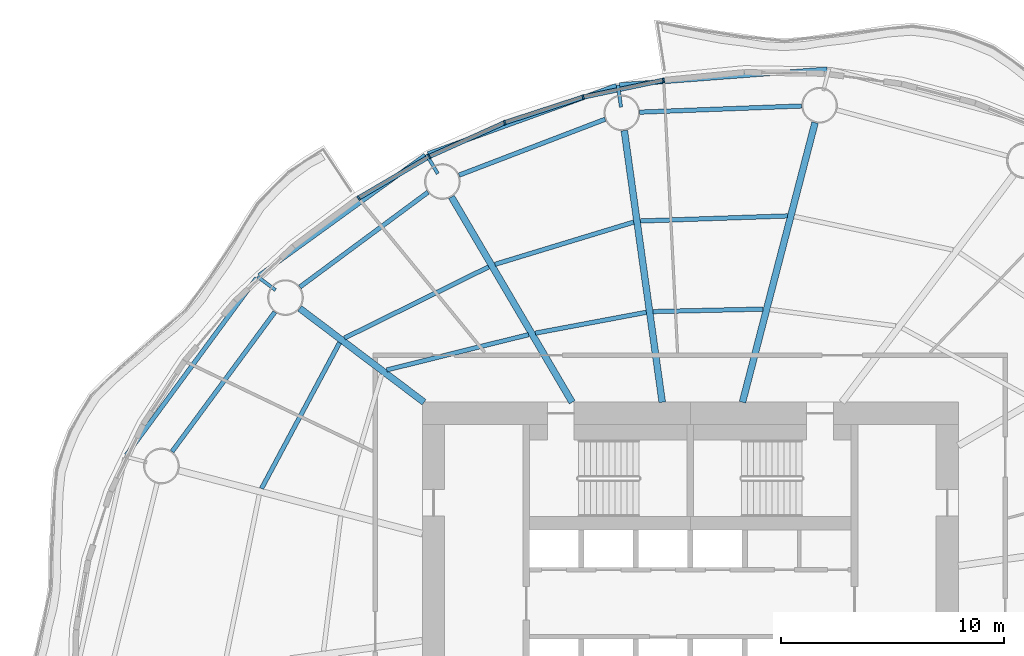
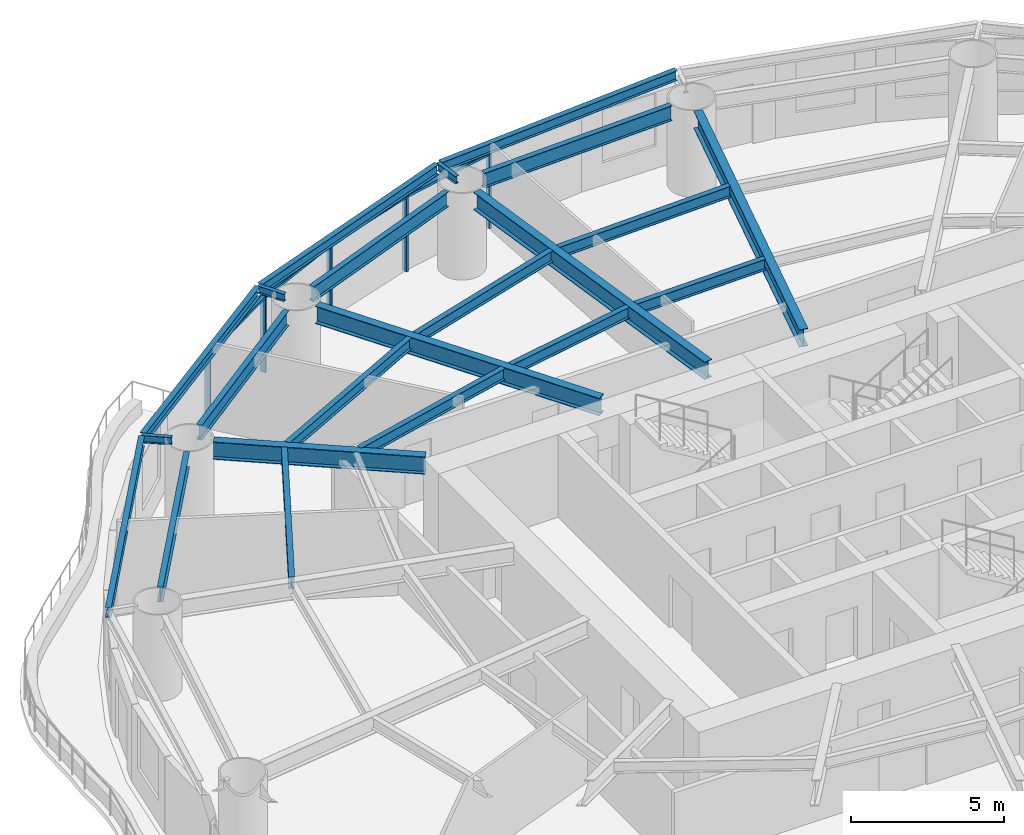
# One storey, part 5 of 14: 22 beams, 9 members, 4 elements without a shape of their own.
"""IFC4 building model written with IfcOpenShell, lengths in metres."""

from ifc_helpers import new_model, si_unit, direction, frame, origin, origin_2d, place, context, subcontext, project, spatial, rectangle, i_section, extrude, material, material_profile, profile_set, type_object, element, aggregate, save


model = new_model("IFC4")

# Units and contexts
model_context = context("Model", 3, precision=1e-05, world=origin(), true_north=direction((0.0, 1.0)))
body_context = subcontext(model_context, "Body", "Model", "MODEL_VIEW")
ifc_project = project(units=[si_unit("LENGTHUNIT", "METRE"), si_unit("AREAUNIT", "SQUARE_METRE"), si_unit("VOLUMEUNIT", "CUBIC_METRE"), si_unit("PLANEANGLEUNIT", "RADIAN"), si_unit("MASSUNIT", "GRAM", prefix="KILO")], contexts=[model_context])

# Site, building, storey
site_placement = place(None, origin())
site = spatial("IfcSite", under=ifc_project, at=site_placement, CompositionType="ELEMENT")
building_placement = place(site_placement, origin())
building = spatial("IfcBuilding", under=site, at=building_placement, Name="Vermilion Reach Broadcast Tower", CompositionType="ELEMENT")
storey_placement = place(building_placement, frame((0.0, 0.0, 117.39990234375)))
storey = spatial("IfcBuildingStorey", under=building, at=storey_placement, Name="L27", CompositionType="ELEMENT", Elevation=117.39990234375)

# Beams
ifc_material_1 = material(Name="Steel S355J2", Category="steel")
ifc_material_profile_1 = material_profile(ifc_material_1, i_section(OverallWidth=0.199951171875, OverallDepth=0.39990234375, WebThickness=0.008056640625, FlangeThickness=0.012939453125, at=origin_2d()), Name="S355J2 HN 400x200x8x13")
ifc_profile_set_1 = profile_set([ifc_material_profile_1], Name="Steel S355J2")
beam_type_1 = type_object("IfcBeamType", Name="EB2 HN 400x200x8x13", PredefinedType="BEAM", material=ifc_profile_set_1)
beam_1_placement = place(storey_placement, frame((0.12890625, 23.912109375, 3.25), z_axis=(-0.997136795934, -0.075618848141, 0.0), x_axis=(0.075618848141, -0.997136795934, 0.0)))
element("IfcBeam", 1, at=beam_1_placement, inside=storey, type_object=beam_type_1, Name="Edge beam EB2-03", PredefinedType="BEAM", context=body_context, shape_type="SweptSolid", body=[
    extrude(i_section(OverallWidth=0.199951171875, OverallDepth=0.39990234375, WebThickness=0.008056640625, FlangeThickness=0.012939453125, at=origin_2d()), origin(), (0.0, 0.0, 1.0), 9.32080078125),
])
beam_2_placement = place(storey_placement, frame((-9.312255859375, 23.175537109375, 3.25), z_axis=(-0.940209329567, -0.340597147075, 0.0), x_axis=(0.340597147075, -0.940209329567, 0.0)))
element("IfcBeam", 2, at=beam_2_placement, inside=storey, type_object=beam_type_1, Name="Edge beam EB2-04", PredefinedType="BEAM", context=body_context, shape_type="SweptSolid", body=[
    extrude(i_section(OverallWidth=0.199951171875, OverallDepth=0.39990234375, WebThickness=0.008056640625, FlangeThickness=0.012939453125, at=origin_2d()), origin(), (0.0, 0.0, 1.0), 8.9658203125),
])
beam_3_placement = place(storey_placement, frame((-17.874755859375, 20.051513671875, 3.25), z_axis=(-0.810003127227, -0.586425556983, 0.0), x_axis=(0.586425556983, -0.810003127227, 0.0)))
element("IfcBeam", 3, at=beam_3_placement, inside=storey, type_object=beam_type_1, Name="Edge beam EB2-05", PredefinedType="BEAM", context=body_context, shape_type="SweptSolid", body=[
    extrude(i_section(OverallWidth=0.199951171875, OverallDepth=0.39990234375, WebThickness=0.008056640625, FlangeThickness=0.012939453125, at=origin_2d()), origin(), (0.0, 0.0, 1.0), 9.177001953125),
])
beam_4_placement = place(storey_placement, frame((-25.416015625, 14.563720703125, 3.25), z_axis=(-0.59256035005, -0.805526058888, 0.0), x_axis=(0.805526058888, -0.59256035005, 0.0)))
element("IfcBeam", 4, at=beam_4_placement, inside=storey, type_object=beam_type_1, Name="Edge beam EB2-06", PredefinedType="BEAM", context=body_context, shape_type="SweptSolid", body=[
    extrude(i_section(OverallWidth=0.199951171875, OverallDepth=0.39990234375, WebThickness=0.008056640625, FlangeThickness=0.012939453125, at=origin_2d()), origin(), (0.0, 0.0, 1.0), 9.847412109375),
])
ifc_material_2 = material(Name="Steel S355J2", Category="steel")
ifc_material_profile_2 = material_profile(ifc_material_2, i_section(OverallWidth=0.300048828125, OverallDepth=0.699951171875, WebThickness=0.012939453125, FlangeThickness=0.02392578125, at=origin_2d()), Name="S355J2 HN 700x300x13x24")
ifc_profile_set_2 = profile_set([ifc_material_profile_2], Name="Steel S355J2")
beam_type_2 = type_object("IfcBeamType", Name="G2 HN 700x300x13x24", PredefinedType="BEAM", material=ifc_profile_set_2)
beam_5_placement = place(storey_placement, frame((-3.6640625, 9.0, 3.10009765625), z_axis=(0.25121695316, 0.967930804575, 0.0), x_axis=(-0.967930804575, 0.25121695316, 0.0)))
element("IfcBeam", 5, at=beam_5_placement, inside=storey, type_object=beam_type_2, Name="Girder G2-03", PredefinedType="BEAM", context=body_context, shape_type="SweptSolid", body=[
    extrude(i_section(OverallWidth=0.300048828125, OverallDepth=0.699951171875, WebThickness=0.012939453125, FlangeThickness=0.02392578125, at=origin_2d()), origin(), (0.0, 0.0, 1.0), 12.93505859375),
])
beam_6_placement = place(storey_placement, frame((-7.2568359375, 9.0, 3.10009765625), z_axis=(-0.138317561234, 0.990387930184, 0.0), x_axis=(-0.990387930184, -0.138317561234, 0.0)))
element("IfcBeam", 6, at=beam_6_placement, inside=storey, type_object=beam_type_2, Name="Girder G2-04", PredefinedType="BEAM", context=body_context, shape_type="SweptSolid", body=[
    extrude(i_section(OverallWidth=0.300048828125, OverallDepth=0.699951171875, WebThickness=0.012939453125, FlangeThickness=0.02392578125, at=origin_2d()), origin(), (0.0, 0.0, 1.0), 12.281494140625),
])
beam_7_placement = place(storey_placement, frame((-11.290771484375, 9.0, 3.10009765625), z_axis=(-0.506783943634, 0.862073102744, 0.0), x_axis=(-0.862073102744, -0.506783943634, 0.0)))
element("IfcBeam", 7, at=beam_7_placement, inside=storey, type_object=beam_type_2, Name="Girder G2-05", PredefinedType="BEAM", context=body_context, shape_type="SweptSolid", body=[
    extrude(i_section(OverallWidth=0.300048828125, OverallDepth=0.699951171875, WebThickness=0.012939453125, FlangeThickness=0.02392578125, at=origin_2d()), origin(), (0.0, 0.0, 1.0), 10.661865234375),
])
beam_8_placement = place(storey_placement, frame((-17.921630859375, 9.0, 3.10009765625), z_axis=(-0.798113534072, 0.602507084382, 0.0), x_axis=(-0.602507084382, -0.798113534072, 0.0)))
element("IfcBeam", 8, at=beam_8_placement, inside=storey, type_object=beam_type_2, Name="Girder G2-06", PredefinedType="BEAM", context=body_context, shape_type="SweptSolid", body=[
    extrude(i_section(OverallWidth=0.300048828125, OverallDepth=0.699951171875, WebThickness=0.012939453125, FlangeThickness=0.02392578125, at=origin_2d()), origin(), (0.0, 0.0, 1.0), 6.971923828125),
])
ifc_material_3 = material(Name="Steel S355J2", Category="steel")
ifc_material_profile_3 = material_profile(ifc_material_3, i_section(OverallWidth=0.14990234375, OverallDepth=0.300048828125, WebThickness=0.006591796875, FlangeThickness=0.009033203125, at=origin_2d()), Name="S355J2 HN 300x150x6.5x9")
ifc_profile_set_3 = profile_set([ifc_material_profile_3], Name="Steel S355J2")
beam_type_3 = type_object("IfcBeamType", Name="GS2 HN 300x150x6.5x9", PredefinedType="BEAM", material=ifc_profile_set_3)
for number, where, z_axis, x_axis, name in (
    (9, (-9.101806640625, 22.211181640625, 3.300048828125), (-0.138413206764, 0.990374567622, 0.0), (-0.990374567622, -0.138413206764, 0.0), "Cantilever stub GS2-04"),
    (10, (-17.306884765625, 19.233642578125, 3.300048828125), (-0.506828068037, 0.862047161964, 0.0), (-0.862047161964, -0.506828068037, 0.0), "Cantilever stub GS2-05"),
    (11, (-24.573486328125, 14.021484375, 3.300048828125), (-0.798091683473, 0.602536027779, 0.0), (-0.602536027779, -0.798091683473, 0.0), "Cantilever stub GS2-06"),
):
    element("IfcBeam", number, at=place(storey_placement, frame(where, z_axis=z_axis, x_axis=x_axis)), inside=storey, type_object=beam_type_3, Name=name, PredefinedType="BEAM", context=body_context, shape_type="SweptSolid", body=[
        extrude(i_section(OverallWidth=0.14990234375, OverallDepth=0.300048828125, WebThickness=0.006591796875, FlangeThickness=0.009033203125, at=origin_2d()), origin(), (0.0, 0.0, 1.0), 1.0),
    ])
ifc_material_4 = material(Name="Steel S355J2", Category="steel")
ifc_material_profile_4 = material_profile(ifc_material_4, i_section(OverallWidth=0.199951171875, OverallDepth=0.60009765625, WebThickness=0.010986328125, FlangeThickness=0.01708984375, at=origin_2d()), Name="S355J2 HN 600x200x11x17")
ifc_profile_set_4 = profile_set([ifc_material_profile_4], Name="Steel S355J2")
beam_type_4 = type_object("IfcBeamType", Name="RB2 HN 600x200x11x17", PredefinedType="BEAM", material=ifc_profile_set_4)
beam_9_placement = place(storey_placement, frame((-1.012939453125, 22.263916015625, 3.150146484375), z_axis=(-0.999268558327, -0.038240663418, 0.0), x_axis=(0.038240663418, -0.999268558327, 0.0)))
element("IfcBeam", 12, at=beam_9_placement, inside=storey, type_object=beam_type_4, Name="Ring beam RB2-03", PredefinedType="BEAM", context=body_context, shape_type="SweptSolid", body=[
    extrude(i_section(OverallWidth=0.199951171875, OverallDepth=0.60009765625, WebThickness=0.010986328125, FlangeThickness=0.01708984375, at=origin_2d()), origin(), (0.0, 0.0, 1.0), 7.259033203125),
])
beam_10_placement = place(storey_placement, frame((-9.813232421875, 21.669677734375, 3.150146484375), z_axis=(-0.933939237212, -0.357431813353, 0.0), x_axis=(0.357431813353, -0.933939237212, 0.0)))
element("IfcBeam", 13, at=beam_10_placement, inside=storey, type_object=beam_type_4, Name="Ring beam RB2-04", PredefinedType="BEAM", context=body_context, shape_type="SweptSolid", body=[
    extrude(i_section(OverallWidth=0.199951171875, OverallDepth=0.60009765625, WebThickness=0.010986328125, FlangeThickness=0.01708984375, at=origin_2d()), origin(), (0.0, 0.0, 1.0), 7.001953125),
])
beam_11_placement = place(storey_placement, frame((-17.74267578125, 18.4052734375, 3.150146484375), z_axis=(-0.803832742218, -0.594855379515, 0.0), x_axis=(0.594855379515, -0.803832742218, 0.0)))
element("IfcBeam", 14, at=beam_11_placement, inside=storey, type_object=beam_type_4, Name="Ring beam RB2-05", PredefinedType="BEAM", context=body_context, shape_type="SweptSolid", body=[
    extrude(i_section(OverallWidth=0.199951171875, OverallDepth=0.60009765625, WebThickness=0.010986328125, FlangeThickness=0.01708984375, at=origin_2d()), origin(), (0.0, 0.0, 1.0), 7.13916015625),
])
beam_12_placement = place(storey_placement, frame((-24.59912109375, 13.03857421875, 3.150146484375), z_axis=(-0.593250534798, -0.80501788984, 0.0), x_axis=(0.80501788984, -0.593250534798, 0.0)))
element("IfcBeam", 15, at=beam_12_placement, inside=storey, type_object=beam_type_4, Name="Ring beam RB2-06", PredefinedType="BEAM", context=body_context, shape_type="SweptSolid", body=[
    extrude(i_section(OverallWidth=0.199951171875, OverallDepth=0.60009765625, WebThickness=0.010986328125, FlangeThickness=0.01708984375, at=origin_2d()), origin(), (0.0, 0.0, 1.0), 7.76220703125),
])
ifc_material_5 = material(Name="Steel S355J2", Category="steel")
ifc_material_profile_5 = material_profile(ifc_material_5, i_section(OverallWidth=0.199951171875, OverallDepth=0.449951171875, WebThickness=0.009033203125, FlangeThickness=0.013916015625, at=origin_2d()), Name="S355J2 HN 450x200x9x14")
ifc_profile_set_5 = profile_set([ifc_material_profile_5], Name="Steel S355J2")
beam_type_5 = type_object("IfcBeamType", Name="SB2 HN 450x200x9x14", PredefinedType="BEAM", material=ifc_profile_set_5)
beam_13_placement = place(storey_placement, frame((-2.73681640625, 13.169921875, 3.22509765625), z_axis=(-0.999742320425, -0.022700060602, 0.0), x_axis=(0.022700060602, -0.999742320425, 0.0)))
element("IfcBeam", 16, at=beam_13_placement, inside=storey, type_object=beam_type_5, Name="Secondary beam SB2-03-1", PredefinedType="BEAM", context=body_context, shape_type="SweptSolid", body=[
    extrude(i_section(OverallWidth=0.199951171875, OverallDepth=0.449951171875, WebThickness=0.009033203125, FlangeThickness=0.013916015625, at=origin_2d()), origin(), (0.0, 0.0, 1.0), 4.9365234375),
])
beam_14_placement = place(storey_placement, frame((-1.654052734375, 17.34130859375, 3.22509765625), z_axis=(-0.999404722387, -0.03449928797, 0.0), x_axis=(0.03449928797, -0.999404722387, 0.0)))
element("IfcBeam", 17, at=beam_14_placement, inside=storey, type_object=beam_type_5, Name="Secondary beam SB2-03-2", PredefinedType="BEAM", context=body_context, shape_type="SweptSolid", body=[
    extrude(i_section(OverallWidth=0.199951171875, OverallDepth=0.449951171875, WebThickness=0.009033203125, FlangeThickness=0.013916015625, at=origin_2d()), origin(), (0.0, 0.0, 1.0), 6.58837890625),
])
beam_15_placement = place(storey_placement, frame((-7.970703125, 13.026611328125, 3.22509765625), z_axis=(-0.982782890015, -0.184764149915, 0.0), x_axis=(0.184764149915, -0.982782890015, 0.0)))
element("IfcBeam", 18, at=beam_15_placement, inside=storey, type_object=beam_type_5, Name="Secondary beam SB2-04-1", PredefinedType="BEAM", context=body_context, shape_type="SweptSolid", body=[
    extrude(i_section(OverallWidth=0.199951171875, OverallDepth=0.449951171875, WebThickness=0.009033203125, FlangeThickness=0.013916015625, at=origin_2d()), origin(), (0.0, 0.0, 1.0), 5.051513671875),
])
beam_16_placement = place(storey_placement, frame((-8.53466796875, 17.064697265625, 3.22509765625), z_axis=(-0.956596430605, -0.291415972374, 0.0), x_axis=(0.291415972374, -0.956596430605, 0.0)))
element("IfcBeam", 19, at=beam_16_placement, inside=storey, type_object=beam_type_5, Name="Secondary beam SB2-04-2", PredefinedType="BEAM", context=body_context, shape_type="SweptSolid", body=[
    extrude(i_section(OverallWidth=0.199951171875, OverallDepth=0.449951171875, WebThickness=0.009033203125, FlangeThickness=0.013916015625, at=origin_2d()), origin(), (0.0, 0.0, 1.0), 6.49267578125),
])
beam_17_placement = place(storey_placement, frame((-13.24365234375, 12.026123046875, 3.22509765625), z_axis=(-0.970396717612, -0.241516480695, 0.0), x_axis=(0.241516480695, -0.970396717612, 0.0)))
element("IfcBeam", 20, at=beam_17_placement, inside=storey, type_object=beam_type_5, Name="Secondary beam SB2-05-1", PredefinedType="BEAM", context=body_context, shape_type="SweptSolid", body=[
    extrude(i_section(OverallWidth=0.199951171875, OverallDepth=0.449951171875, WebThickness=0.009033203125, FlangeThickness=0.013916015625, at=origin_2d()), origin(), (0.0, 0.0, 1.0), 6.539306640625),
])
beam_18_placement = place(storey_placement, frame((-15.02783203125, 15.06103515625, 3.22509765625), z_axis=(-0.896648255868, -0.442743611189, 0.0), x_axis=(0.442743611189, -0.896648255868, 0.0)))
element("IfcBeam", 21, at=beam_18_placement, inside=storey, type_object=beam_type_5, Name="Secondary beam SB2-05-2", PredefinedType="BEAM", context=body_context, shape_type="SweptSolid", body=[
    extrude(i_section(OverallWidth=0.199951171875, OverallDepth=0.449951171875, WebThickness=0.009033203125, FlangeThickness=0.013916015625, at=origin_2d()), origin(), (0.0, 0.0, 1.0), 7.19677734375),
])
beam_19_placement = place(storey_placement, frame((-21.702880859375, 11.66650390625, 3.22509765625), z_axis=(-0.471821551693, -0.881694064491, 0.0), x_axis=(0.881694064491, -0.471821551693, 0.0)))
element("IfcBeam", 22, at=beam_19_placement, inside=storey, type_object=beam_type_5, Name="Secondary beam SB2-06-2", PredefinedType="BEAM", context=body_context, shape_type="SweptSolid", body=[
    extrude(i_section(OverallWidth=0.199951171875, OverallDepth=0.449951171875, WebThickness=0.009033203125, FlangeThickness=0.013916015625, at=origin_2d()), origin(), (0.0, 0.0, 1.0), 7.405029296875),
])

# Curtain wall, member
ifc_material_6 = material(Name="Low-e laminated clear glass in aluminium frame", Category="aluminium")
curtain_wall_type = type_object("IfcCurtainWallType", Name="Slot curtain wall", PredefinedType="NOTDEFINED", material=ifc_material_6)
placement = place(storey_placement, origin())
curtain_wall_1 = element("IfcCurtainWall", 23, at=placement, inside=storey, type_object=curtain_wall_type, Name="Slot curtain wall L27 10", PredefinedType="NOTDEFINED")
ifc_material_7 = material(Name="Anodised aluminium", Category="aluminium")
ifc_material_profile_6 = material_profile(ifc_material_7, rectangle(XDim=0.199951171875, YDim=0.080078125, at=origin_2d()), Name="Slot mullion 80 x 200")
ifc_profile_set_6 = profile_set([ifc_material_profile_6], Name="Anodised aluminium")
member_type_1 = type_object("IfcMemberType", Name="Slot mullion 80 x 200", PredefinedType="MULLION", material=ifc_profile_set_6)
member_1_placement = place(storey_placement, frame((-7.20263671875, 23.4169921875, 0.0), z_axis=(0.0, 0.0, 1.0), x_axis=(0.151588690045, -0.988443660028, 0.0)))
member_1 = element("IfcMember", 24, at=member_1_placement, type_object=member_type_1, Name="Slot mullion L27 10", PredefinedType="MULLION", context=body_context, shape_type="SweptSolid", body=[
    extrude(rectangle(XDim=0.199951171875, YDim=0.080078125, at=origin_2d()), origin(), (0.0, 0.0, 1.0), 3.050048828125),
])

curtain_wall_2 = element("IfcCurtainWall", 25, at=placement, inside=storey, type_object=curtain_wall_type, Name="Slot curtain wall L27 11", PredefinedType="NOTDEFINED")
member_2_placement = place(storey_placement, frame((-10.798095703125, 22.661865234375, 0.0), z_axis=(0.0, 0.0, 1.0), x_axis=(0.258044706981, -0.966132976975, 0.0)))
member_2 = element("IfcMember", 26, at=member_2_placement, type_object=member_type_1, Name="Slot mullion L27 11", PredefinedType="MULLION", context=body_context, shape_type="SweptSolid", body=[
    extrude(rectangle(XDim=0.199951171875, YDim=0.080078125, at=origin_2d()), origin(), (0.0, 0.0, 1.0), 3.050048828125),
])

curtain_wall_3 = element("IfcCurtainWall", 27, at=placement, inside=storey, type_object=curtain_wall_type, Name="Slot curtain wall L27 12", PredefinedType="NOTDEFINED")
member_3_placement = place(storey_placement, frame((-14.3115234375, 21.51708984375, 0.0), z_axis=(0.0, 0.0, 1.0), x_axis=(0.360322372075, -0.932827844879, 0.0)))
member_3 = element("IfcMember", 28, at=member_3_placement, type_object=member_type_1, Name="Slot mullion L27 12", PredefinedType="MULLION", context=body_context, shape_type="SweptSolid", body=[
    extrude(rectangle(XDim=0.199951171875, YDim=0.080078125, at=origin_2d()), origin(), (0.0, 0.0, 1.0), 3.050048828125),
])

# Curtain wall, members
curtain_wall_4 = element("IfcCurtainWall", 29, at=placement, inside=storey, type_object=curtain_wall_type, Name="Slot curtain wall L27 13", PredefinedType="NOTDEFINED")
member_4_placement = place(storey_placement, frame((-17.681884765625, 20.002685546875, 0.0), z_axis=(0.0, 0.0, 1.0), x_axis=(0.458431356654, -0.888729819032, 0.0)))
member_4 = element("IfcMember", 30, at=member_4_placement, type_object=member_type_1, Name="Slot mullion L27 13", PredefinedType="MULLION", context=body_context, shape_type="SweptSolid", body=[
    extrude(rectangle(XDim=0.199951171875, YDim=0.080078125, at=origin_2d()), origin(), (0.0, 0.0, 1.0), 3.050048828125),
])
member_5_placement = place(storey_placement, frame((-20.8515625, 18.144775390625, 0.0), z_axis=(0.0, 0.0, 1.0), x_axis=(0.552242557057, -0.833683488007, 0.0)))
member_5 = element("IfcMember", 31, at=member_5_placement, type_object=member_type_1, Name="Slot mullion L27 14", PredefinedType="MULLION", context=body_context, shape_type="SweptSolid", body=[
    extrude(rectangle(XDim=0.199951171875, YDim=0.080078125, at=origin_2d()), origin(), (0.0, 0.0, 1.0), 3.050048828125),
])

# Member
ifc_material_8 = material(Name="Anodised aluminium", Category="aluminium")
ifc_material_profile_7 = material_profile(ifc_material_8, rectangle(XDim=0.199951171875, YDim=0.10009765625, at=origin_2d()), Name="Slot transom 200 x 100")
ifc_profile_set_7 = profile_set([ifc_material_profile_7], Name="Anodised aluminium")
member_type_2 = type_object("IfcMemberType", Name="Slot transom 200 x 100", PredefinedType="USERDEFINED", material=ifc_profile_set_7)
member_6_placement = place(storey_placement, frame((-7.24169921875, 23.40869140625, 3.0), z_axis=(-0.978643384514, -0.205565381198, 0.0), x_axis=(0.205565381198, -0.978643384514, 0.0)))
member_6 = element("IfcMember", 32, at=member_6_placement, type_object=member_type_2, Name="Slot transom L27 10.1", ObjectType="TRANSOM", PredefinedType="USERDEFINED", context=body_context, shape_type="SweptSolid", body=[
    extrude(rectangle(XDim=0.199951171875, YDim=0.10009765625, at=origin_2d()), origin(), (0.0, 0.0, 1.0), 3.59375),
])

aggregate(curtain_wall_1, [member_1, member_6])

member_7_placement = place(storey_placement, frame((-10.836181640625, 22.6494140625, 3.0), z_axis=(-0.95080899702, -0.309777744821, 0.0), x_axis=(0.309777744821, -0.95080899702, 0.0)))
member_7 = element("IfcMember", 33, at=member_7_placement, type_object=member_type_2, Name="Slot transom L27 11.1", ObjectType="TRANSOM", PredefinedType="USERDEFINED", context=body_context, shape_type="SweptSolid", body=[
    extrude(rectangle(XDim=0.199951171875, YDim=0.10009765625, at=origin_2d()), origin(), (0.0, 0.0, 1.0), 3.614990234375),
])

aggregate(curtain_wall_2, [member_2, member_7])

member_8_placement = place(storey_placement, frame((-14.347900390625, 21.500732421875, 3.0), z_axis=(-0.912152597289, -0.409850752421, 0.0), x_axis=(0.409850752421, -0.912152597289, 0.0)))
member_8 = element("IfcMember", 34, at=member_8_placement, type_object=member_type_2, Name="Slot transom L27 12.1", ObjectType="TRANSOM", PredefinedType="USERDEFINED", context=body_context, shape_type="SweptSolid", body=[
    extrude(rectangle(XDim=0.199951171875, YDim=0.10009765625, at=origin_2d()), origin(), (0.0, 0.0, 1.0), 3.615234375),
])

aggregate(curtain_wall_3, [member_3, member_8])

member_9_placement = place(storey_placement, frame((-17.716552734375, 19.982421875, 3.0), z_axis=(-0.862722496348, -0.505677658489, 0.0), x_axis=(0.505677658489, -0.862722496348, 0.0)))
member_9 = element("IfcMember", 35, at=member_9_placement, type_object=member_type_2, Name="Slot transom L27 13.1", ObjectType="TRANSOM", PredefinedType="USERDEFINED", context=body_context, shape_type="SweptSolid", body=[
    extrude(rectangle(XDim=0.199951171875, YDim=0.10009765625, at=origin_2d()), origin(), (0.0, 0.0, 1.0), 3.593994140625),
])

aggregate(curtain_wall_4, [member_4, member_5, member_9])

save(model, "model.ifc")
